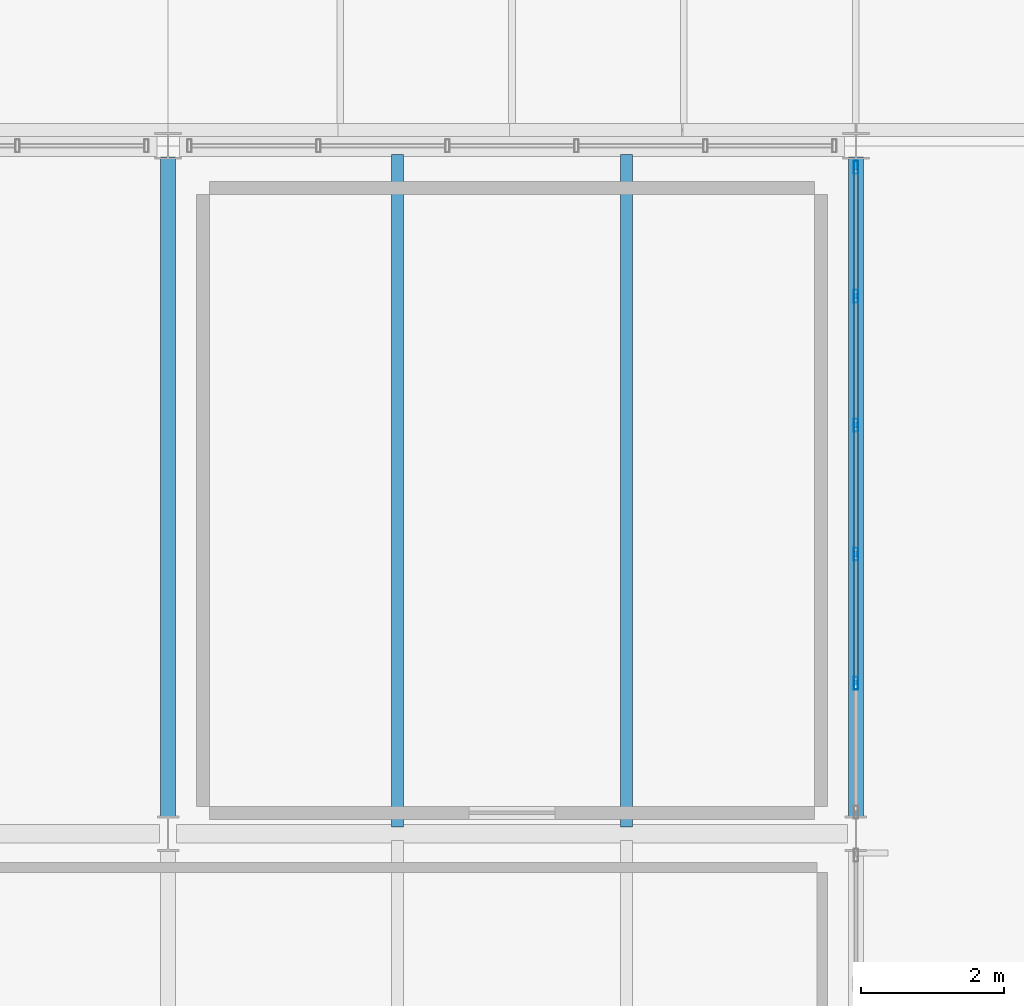
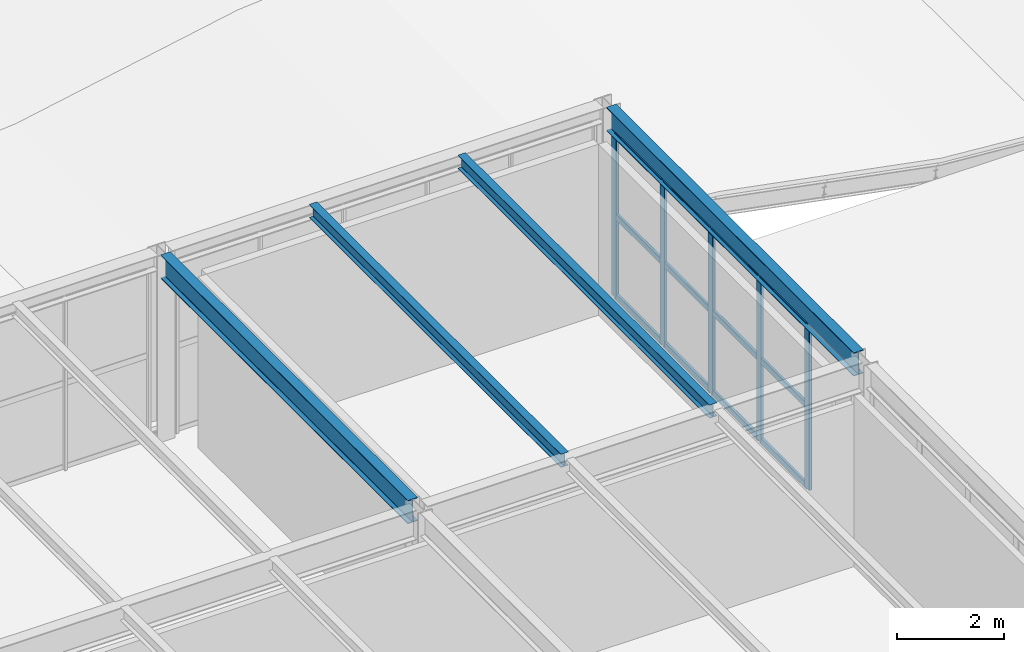
# One storey, part 105 of 170: 17 members, 4 beams, 1 element without a shape of its own.
"""IFC4 building model written with IfcOpenShell, lengths in metres."""

from ifc_helpers import new_model, si_unit, direction, frame, origin, origin_2d, place, context, subcontext, project, spatial, hollow_rectangle, i_section, extrude, material, material_profile, profile_set, type_object, element, aggregate, save


model = new_model("IFC4")

# Units and contexts
model_context = context("Model", 3, precision=1e-05, world=origin(), true_north=direction((0.0, 1.0)))
body_context = subcontext(model_context, "Body", "Model", "MODEL_VIEW")
ifc_project = project(units=[si_unit("LENGTHUNIT", "METRE"), si_unit("AREAUNIT", "SQUARE_METRE"), si_unit("VOLUMEUNIT", "CUBIC_METRE"), si_unit("PLANEANGLEUNIT", "RADIAN"), si_unit("MASSUNIT", "GRAM", prefix="KILO")], contexts=[model_context])

# Site, building, storey
site_placement = place(None, origin())
site = spatial("IfcSite", under=ifc_project, at=site_placement, CompositionType="ELEMENT")
building_placement = place(site_placement, origin())
building = spatial("IfcBuilding", under=site, at=building_placement, Name="Coralgate Yard Interchange", CompositionType="ELEMENT")
storey_placement = place(building_placement, frame((0.0, 0.0, 6.0)))
storey = spatial("IfcBuildingStorey", under=building, at=storey_placement, Name="L01", CompositionType="ELEMENT", Elevation=6.0)

# Beams
ifc_material_1 = material(Name="Structural steel S355J2", Category="steel")
ifc_material_profile_1 = material_profile(ifc_material_1, i_section(OverallWidth=0.209228515625, OverallDepth=0.533203125, WebThickness=0.010009765625, FlangeThickness=0.015625, FilletRadius=0.0126953125, at=origin_2d()), Name="UB 533x210x92")
ifc_profile_set_1 = profile_set([ifc_material_profile_1], Name="Structural steel S355J2")
beam_type_1 = type_object("IfcBeamType", Name="BM-SB-1", PredefinedType="BEAM", material=ifc_profile_set_1)
for number, where, z_axis, x_axis, name in (
    (1, (96.0, 86.6201171875, 3.9833984375), (0.0, 1.0, 0.0), (-1.0, 0.0, 0.0), "L01 primary grid girder X10 Y9-10"),
    (2, (105.60009765625, 86.6201171875, 3.9833984375), (0.0, 1.0, 0.0), (-1.0, 0.0, 0.0), "L01 primary grid girder X11 Y9-10"),
):
    element("IfcBeam", number, at=place(storey_placement, frame(where, z_axis=z_axis, x_axis=x_axis)), inside=storey, type_object=beam_type_1, Name=name, PredefinedType="BEAM", context=body_context, shape_type="SweptSolid", body=[
        extrude(i_section(OverallWidth=0.209228515625, OverallDepth=0.533203125, WebThickness=0.010009765625, FlangeThickness=0.015625, FilletRadius=0.0126953125, at=origin_2d()), origin(), (0.0, 0.0, 1.0), 9.225830078125),
    ])
ifc_material_profile_2 = material_profile(ifc_material_1, i_section(OverallWidth=0.1650390625, OverallDepth=0.303466796875, WebThickness=0.006103515625, FlangeThickness=0.01025390625, FilletRadius=0.0087890625, at=origin_2d()), Name="UB 305x165x40")
ifc_profile_set_2 = profile_set([ifc_material_profile_2], Name="Structural steel S355J2")
beam_type_2 = type_object("IfcBeamType", Name="BM-SJ-1", PredefinedType="JOIST", material=ifc_profile_set_2)
for number, where, z_axis, x_axis, name in (
    (3, (99.199951171875, 86.496826171875, 4.098388671875), (0.0, 1.0, 0.0), (-1.0, 0.0, 0.0), "L01 composite floor joist 10-9-1"),
    (4, (102.39990234375, 86.496826171875, 4.098388671875), (0.0, 1.0, 0.0), (-1.0, 0.0, 0.0), "L01 composite floor joist 10-9-2"),
):
    element("IfcBeam", number, at=place(storey_placement, frame(where, z_axis=z_axis, x_axis=x_axis)), inside=storey, type_object=beam_type_2, Name=name, PredefinedType="JOIST", context=body_context, shape_type="SweptSolid", body=[
        extrude(i_section(OverallWidth=0.1650390625, OverallDepth=0.303466796875, WebThickness=0.006103515625, FlangeThickness=0.01025390625, FilletRadius=0.0087890625, at=origin_2d()), origin(), (0.0, 0.0, 1.0), 9.383056640625),
    ])

# Curtain wall, members
ifc_material_2 = material(Name="Anodised coastal aluminium and solar-control low-E glass", Category="aluminium")
curtain_wall_type = type_object("IfcCurtainWallType", Name="CW-CW-L01-B", PredefinedType="NOTDEFINED", material=ifc_material_2)
curtain_wall_placement = place(storey_placement, origin())
curtain_wall = element("IfcCurtainWall", 5, at=curtain_wall_placement, inside=storey, type_object=curtain_wall_type, Name="L01 unitised curtain wall CW-L01-E-10-09", PredefinedType="NOTDEFINED")
ifc_material_3 = material(Name="Anodised coastal aluminium 6063-T6", Category="aluminium")
ifc_material_profile_3 = material_profile(ifc_material_3, hollow_rectangle(XDim=0.06005859375, YDim=0.179931640625, WallThickness=0.00390625, InnerFilletRadius=0.00390625, OuterFilletRadius=0.008056640625, at=origin_2d()), Name="ALU 60x180x4")
ifc_profile_set_3 = profile_set([ifc_material_profile_3], Name="Anodised coastal aluminium 6063-T6")
member_type_1 = type_object("IfcMemberType", Name="MB-MUL-180", PredefinedType="MULLION", material=ifc_profile_set_3)
member_1_placement = place(storey_placement, frame((105.60009765625, 95.699951171875, 0.0), z_axis=(0.0, 0.0, 1.0), x_axis=(1.0, 0.0, 0.0)))
member_1 = element("IfcMember", 6, at=member_1_placement, type_object=member_type_1, Name="CW-L01-E-10-09 vertical mullion 1", PredefinedType="MULLION", context=body_context, shape_type="SweptSolid", body=[
    extrude(hollow_rectangle(XDim=0.06005859375, YDim=0.179931640625, WallThickness=0.00390625, InnerFilletRadius=0.00390625, OuterFilletRadius=0.008056640625, at=origin_2d()), origin(), (0.0, 0.0, 1.0), 3.716796875),
])
member_2_placement = place(storey_placement, frame((105.60009765625, 93.89990234375, 0.0), z_axis=(0.0, 0.0, 1.0), x_axis=(1.0, 0.0, 0.0)))
member_2 = element("IfcMember", 7, at=member_2_placement, type_object=member_type_1, Name="CW-L01-E-10-09 vertical mullion 2", PredefinedType="MULLION", context=body_context, shape_type="SweptSolid", body=[
    extrude(hollow_rectangle(XDim=0.06005859375, YDim=0.179931640625, WallThickness=0.00390625, InnerFilletRadius=0.00390625, OuterFilletRadius=0.008056640625, at=origin_2d()), origin(), (0.0, 0.0, 1.0), 3.716796875),
])
member_3_placement = place(storey_placement, frame((105.60009765625, 92.10009765625, 0.0), z_axis=(0.0, 0.0, 1.0), x_axis=(1.0, 0.0, 0.0)))
member_3 = element("IfcMember", 8, at=member_3_placement, type_object=member_type_1, Name="CW-L01-E-10-09 vertical mullion 3", PredefinedType="MULLION", context=body_context, shape_type="SweptSolid", body=[
    extrude(hollow_rectangle(XDim=0.06005859375, YDim=0.179931640625, WallThickness=0.00390625, InnerFilletRadius=0.00390625, OuterFilletRadius=0.008056640625, at=origin_2d()), origin(), (0.0, 0.0, 1.0), 3.716796875),
])
member_4_placement = place(storey_placement, frame((105.60009765625, 90.300048828125, 0.0), z_axis=(0.0, 0.0, 1.0), x_axis=(1.0, 0.0, 0.0)))
member_4 = element("IfcMember", 9, at=member_4_placement, type_object=member_type_1, Name="CW-L01-E-10-09 vertical mullion 4", PredefinedType="MULLION", context=body_context, shape_type="SweptSolid", body=[
    extrude(hollow_rectangle(XDim=0.06005859375, YDim=0.179931640625, WallThickness=0.00390625, InnerFilletRadius=0.00390625, OuterFilletRadius=0.008056640625, at=origin_2d()), origin(), (0.0, 0.0, 1.0), 3.716796875),
])
member_5_placement = place(storey_placement, frame((105.60009765625, 88.5, 0.0), z_axis=(0.0, 0.0, 1.0), x_axis=(1.0, 0.0, 0.0)))
member_5 = element("IfcMember", 10, at=member_5_placement, type_object=member_type_1, Name="CW-L01-E-10-09 vertical mullion 5", PredefinedType="MULLION", context=body_context, shape_type="SweptSolid", body=[
    extrude(hollow_rectangle(XDim=0.06005859375, YDim=0.179931640625, WallThickness=0.00390625, InnerFilletRadius=0.00390625, OuterFilletRadius=0.008056640625, at=origin_2d()), origin(), (0.0, 0.0, 1.0), 3.716796875),
])
ifc_material_profile_4 = material_profile(ifc_material_3, hollow_rectangle(XDim=0.06005859375, YDim=0.139892578125, WallThickness=0.00341796875, InnerFilletRadius=0.00341796875, OuterFilletRadius=0.007080078125, at=origin_2d()), Name="ALU 60x140x3.5")
ifc_profile_set_4 = profile_set([ifc_material_profile_4], Name="Anodised coastal aluminium 6063-T6")
member_type_2 = type_object("IfcMemberType", Name="MB-TRN-140", PredefinedType="USERDEFINED", material=ifc_profile_set_4)
member_6_placement = place(storey_placement, frame((105.60009765625, 95.669921875, 0.034912109375), z_axis=(0.0, -1.0, 0.0), x_axis=(1.0, 0.0, 0.0)))
member_6 = element("IfcMember", 11, at=member_6_placement, type_object=member_type_2, Name="CW-L01-E-10-09 horizontal transom 1-1", ObjectType="TRANSOM", PredefinedType="USERDEFINED", context=body_context, shape_type="SweptSolid", body=[
    extrude(hollow_rectangle(XDim=0.06005859375, YDim=0.139892578125, WallThickness=0.00341796875, InnerFilletRadius=0.00341796875, OuterFilletRadius=0.007080078125, at=origin_2d()), origin(), (0.0, 0.0, 1.0), 1.739990234375),
])
member_7_placement = place(storey_placement, frame((105.60009765625, 95.669921875, 1.8583984375), z_axis=(0.0, -1.0, 0.0), x_axis=(1.0, 0.0, 0.0)))
member_7 = element("IfcMember", 12, at=member_7_placement, type_object=member_type_2, Name="CW-L01-E-10-09 horizontal transom 1-2", ObjectType="TRANSOM", PredefinedType="USERDEFINED", context=body_context, shape_type="SweptSolid", body=[
    extrude(hollow_rectangle(XDim=0.06005859375, YDim=0.139892578125, WallThickness=0.00341796875, InnerFilletRadius=0.00341796875, OuterFilletRadius=0.007080078125, at=origin_2d()), origin(), (0.0, 0.0, 1.0), 1.739990234375),
])
member_8_placement = place(storey_placement, frame((105.60009765625, 95.669921875, 3.681884765625), z_axis=(0.0, -1.0, 0.0), x_axis=(1.0, 0.0, 0.0)))
member_8 = element("IfcMember", 13, at=member_8_placement, type_object=member_type_2, Name="CW-L01-E-10-09 horizontal transom 1-3", ObjectType="TRANSOM", PredefinedType="USERDEFINED", context=body_context, shape_type="SweptSolid", body=[
    extrude(hollow_rectangle(XDim=0.06005859375, YDim=0.139892578125, WallThickness=0.00341796875, InnerFilletRadius=0.00341796875, OuterFilletRadius=0.007080078125, at=origin_2d()), origin(), (0.0, 0.0, 1.0), 1.739990234375),
])
member_9_placement = place(storey_placement, frame((105.60009765625, 93.8701171875, 0.034912109375), z_axis=(0.0, -1.0, 0.0), x_axis=(1.0, 0.0, 0.0)))
member_9 = element("IfcMember", 14, at=member_9_placement, type_object=member_type_2, Name="CW-L01-E-10-09 horizontal transom 2-1", ObjectType="TRANSOM", PredefinedType="USERDEFINED", context=body_context, shape_type="SweptSolid", body=[
    extrude(hollow_rectangle(XDim=0.06005859375, YDim=0.139892578125, WallThickness=0.00341796875, InnerFilletRadius=0.00341796875, OuterFilletRadius=0.007080078125, at=origin_2d()), origin(), (0.0, 0.0, 1.0), 1.740234375),
])
member_10_placement = place(storey_placement, frame((105.60009765625, 93.8701171875, 1.8583984375), z_axis=(0.0, -1.0, 0.0), x_axis=(1.0, 0.0, 0.0)))
member_10 = element("IfcMember", 15, at=member_10_placement, type_object=member_type_2, Name="CW-L01-E-10-09 horizontal transom 2-2", ObjectType="TRANSOM", PredefinedType="USERDEFINED", context=body_context, shape_type="SweptSolid", body=[
    extrude(hollow_rectangle(XDim=0.06005859375, YDim=0.139892578125, WallThickness=0.00341796875, InnerFilletRadius=0.00341796875, OuterFilletRadius=0.007080078125, at=origin_2d()), origin(), (0.0, 0.0, 1.0), 1.740234375),
])
member_11_placement = place(storey_placement, frame((105.60009765625, 93.8701171875, 3.681884765625), z_axis=(0.0, -1.0, 0.0), x_axis=(1.0, 0.0, 0.0)))
member_11 = element("IfcMember", 16, at=member_11_placement, type_object=member_type_2, Name="CW-L01-E-10-09 horizontal transom 2-3", ObjectType="TRANSOM", PredefinedType="USERDEFINED", context=body_context, shape_type="SweptSolid", body=[
    extrude(hollow_rectangle(XDim=0.06005859375, YDim=0.139892578125, WallThickness=0.00341796875, InnerFilletRadius=0.00341796875, OuterFilletRadius=0.007080078125, at=origin_2d()), origin(), (0.0, 0.0, 1.0), 1.740234375),
])
member_12_placement = place(storey_placement, frame((105.60009765625, 92.070068359375, 0.034912109375), z_axis=(0.0, -1.0, 0.0), x_axis=(1.0, 0.0, 0.0)))
member_12 = element("IfcMember", 17, at=member_12_placement, type_object=member_type_2, Name="CW-L01-E-10-09 horizontal transom 3-1", ObjectType="TRANSOM", PredefinedType="USERDEFINED", context=body_context, shape_type="SweptSolid", body=[
    extrude(hollow_rectangle(XDim=0.06005859375, YDim=0.139892578125, WallThickness=0.00341796875, InnerFilletRadius=0.00341796875, OuterFilletRadius=0.007080078125, at=origin_2d()), origin(), (0.0, 0.0, 1.0), 1.739990234375),
])
member_13_placement = place(storey_placement, frame((105.60009765625, 92.070068359375, 1.8583984375), z_axis=(0.0, -1.0, 0.0), x_axis=(1.0, 0.0, 0.0)))
member_13 = element("IfcMember", 18, at=member_13_placement, type_object=member_type_2, Name="CW-L01-E-10-09 horizontal transom 3-2", ObjectType="TRANSOM", PredefinedType="USERDEFINED", context=body_context, shape_type="SweptSolid", body=[
    extrude(hollow_rectangle(XDim=0.06005859375, YDim=0.139892578125, WallThickness=0.00341796875, InnerFilletRadius=0.00341796875, OuterFilletRadius=0.007080078125, at=origin_2d()), origin(), (0.0, 0.0, 1.0), 1.739990234375),
])
member_14_placement = place(storey_placement, frame((105.60009765625, 92.070068359375, 3.681884765625), z_axis=(0.0, -1.0, 0.0), x_axis=(1.0, 0.0, 0.0)))
member_14 = element("IfcMember", 19, at=member_14_placement, type_object=member_type_2, Name="CW-L01-E-10-09 horizontal transom 3-3", ObjectType="TRANSOM", PredefinedType="USERDEFINED", context=body_context, shape_type="SweptSolid", body=[
    extrude(hollow_rectangle(XDim=0.06005859375, YDim=0.139892578125, WallThickness=0.00341796875, InnerFilletRadius=0.00341796875, OuterFilletRadius=0.007080078125, at=origin_2d()), origin(), (0.0, 0.0, 1.0), 1.739990234375),
])
member_15_placement = place(storey_placement, frame((105.60009765625, 90.27001953125, 0.034912109375), z_axis=(0.0, -1.0, 0.0), x_axis=(1.0, 0.0, 0.0)))
member_15 = element("IfcMember", 20, at=member_15_placement, type_object=member_type_2, Name="CW-L01-E-10-09 horizontal transom 4-1", ObjectType="TRANSOM", PredefinedType="USERDEFINED", context=body_context, shape_type="SweptSolid", body=[
    extrude(hollow_rectangle(XDim=0.06005859375, YDim=0.139892578125, WallThickness=0.00341796875, InnerFilletRadius=0.00341796875, OuterFilletRadius=0.007080078125, at=origin_2d()), origin(), (0.0, 0.0, 1.0), 1.739990234375),
])
member_16_placement = place(storey_placement, frame((105.60009765625, 90.27001953125, 1.8583984375), z_axis=(0.0, -1.0, 0.0), x_axis=(1.0, 0.0, 0.0)))
member_16 = element("IfcMember", 21, at=member_16_placement, type_object=member_type_2, Name="CW-L01-E-10-09 horizontal transom 4-2", ObjectType="TRANSOM", PredefinedType="USERDEFINED", context=body_context, shape_type="SweptSolid", body=[
    extrude(hollow_rectangle(XDim=0.06005859375, YDim=0.139892578125, WallThickness=0.00341796875, InnerFilletRadius=0.00341796875, OuterFilletRadius=0.007080078125, at=origin_2d()), origin(), (0.0, 0.0, 1.0), 1.739990234375),
])
member_17_placement = place(storey_placement, frame((105.60009765625, 90.27001953125, 3.681884765625), z_axis=(0.0, -1.0, 0.0), x_axis=(1.0, 0.0, 0.0)))
member_17 = element("IfcMember", 22, at=member_17_placement, type_object=member_type_2, Name="CW-L01-E-10-09 horizontal transom 4-3", ObjectType="TRANSOM", PredefinedType="USERDEFINED", context=body_context, shape_type="SweptSolid", body=[
    extrude(hollow_rectangle(XDim=0.06005859375, YDim=0.139892578125, WallThickness=0.00341796875, InnerFilletRadius=0.00341796875, OuterFilletRadius=0.007080078125, at=origin_2d()), origin(), (0.0, 0.0, 1.0), 1.739990234375),
])
aggregate(curtain_wall, [member_1, member_2, member_3, member_4, member_5, member_6, member_7, member_8, member_9, member_10, member_11, member_12, member_13, member_14, member_15, member_16, member_17])

save(model, "model.ifc")
